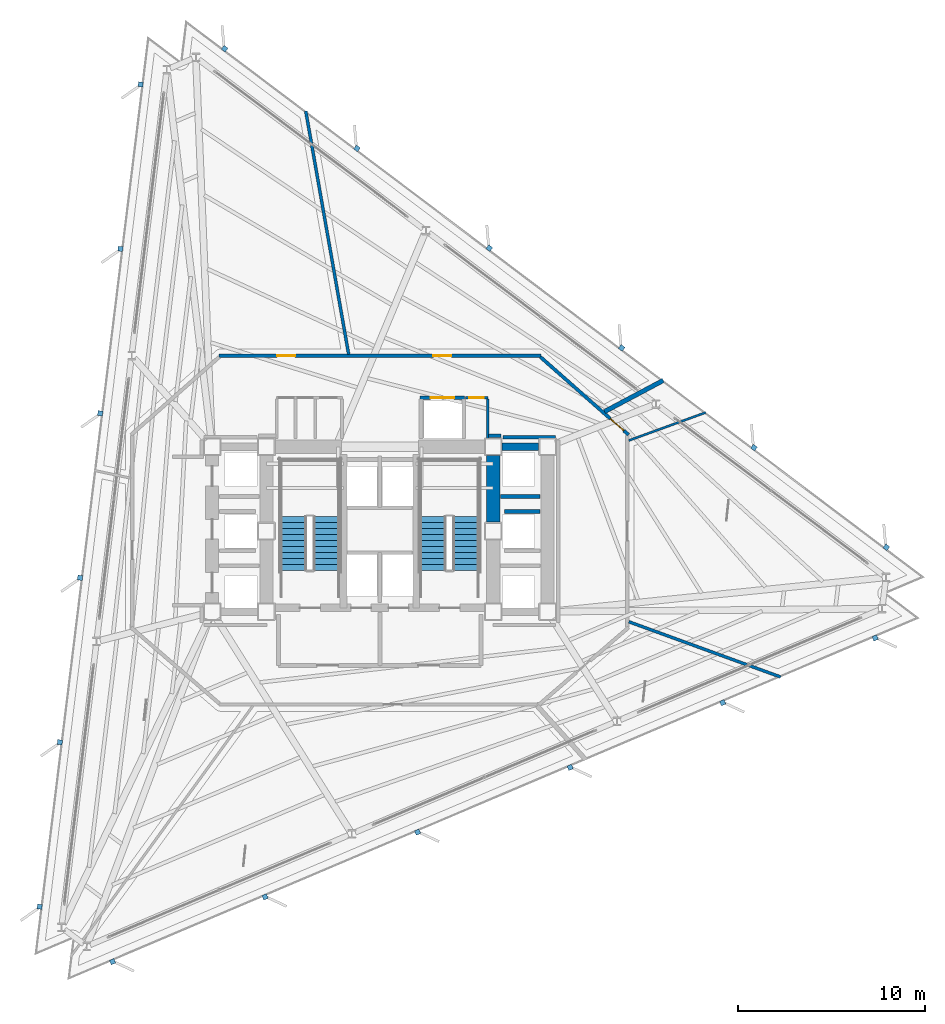
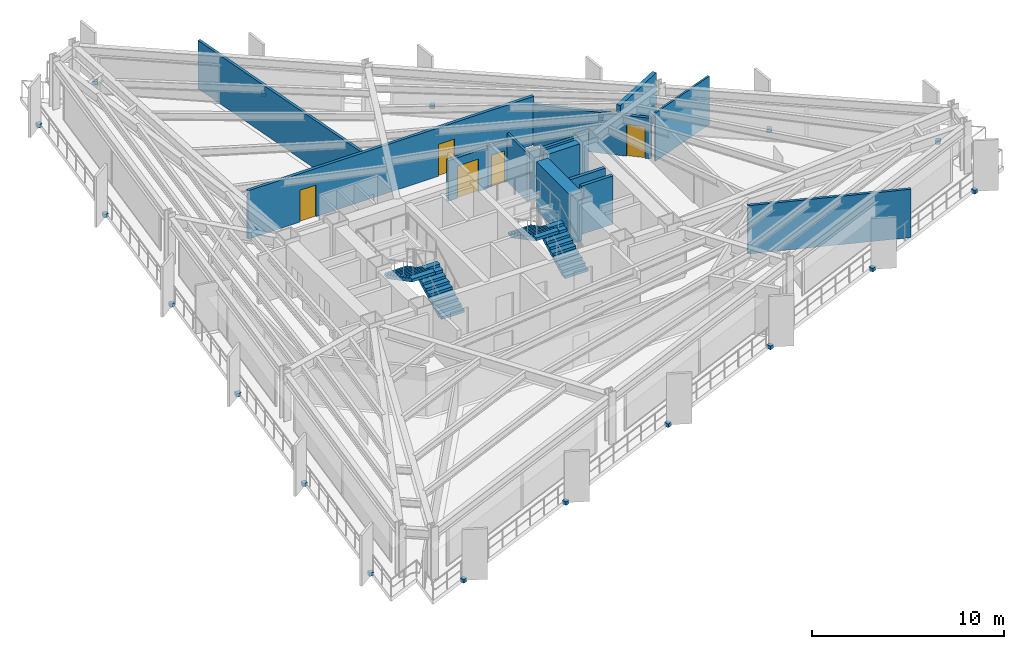
# One storey, part 8 of 13: 18 discrete accessories, 15 walls, 5 doors, 4 stair flights, 5 openings, 2 elements without a shape of their own.
"""IFC4 building model written with IfcOpenShell, lengths in metres."""

from ifc_helpers import new_model, si_unit, direction, frame, frame_2d, origin, origin_2d, place, context, subcontext, project, spatial, polyline, rectangle, outline, extrude, material, layer, layer_set, type_object, element, fill, aggregate, save


model = new_model("IFC4")

# Units and contexts
model_context = context("Model", 3, precision=1e-05, world=origin(), true_north=direction((0.0, 1.0)))
body_context = subcontext(model_context, "Body", "Model", "MODEL_VIEW")
ifc_project = project(units=[si_unit("LENGTHUNIT", "METRE"), si_unit("AREAUNIT", "SQUARE_METRE"), si_unit("VOLUMEUNIT", "CUBIC_METRE"), si_unit("PLANEANGLEUNIT", "RADIAN"), si_unit("MASSUNIT", "GRAM", prefix="KILO")], contexts=[model_context])

# Site, building, storey
site_placement = place(None, origin())
site = spatial("IfcSite", under=ifc_project, at=site_placement, CompositionType="ELEMENT")
building_placement = place(site_placement, origin())
building = spatial("IfcBuilding", under=site, at=building_placement, Name="Rocaltana Carrier Exchange", CompositionType="ELEMENT")
storey_placement = place(building_placement, frame((0.0, 0.0, 69.760009765625)))
storey = spatial("IfcBuildingStorey", under=building, at=storey_placement, Name="L21", CompositionType="ELEMENT", Elevation=69.760009765625)

# Walls
ifc_material_1 = material(Name="Double Acoustic Gypsum Partition", Category="gypsum")
ifc_layer_1 = layer(ifc_material_1, 0.159912109375)
ifc_layer_set_1 = layer_set([ifc_layer_1], Name="Double Acoustic Gypsum Partition")
wall_type_1 = type_object("IfcWallType", Name="Acoustic Studio Partition 160 EI60", PredefinedType="PARTITIONING", material=ifc_layer_set_1)
wall_1_placement = place(storey_placement, frame((13.280029296875, -4.83349609375, 0.0), z_axis=(0.0, 0.0, 1.0), x_axis=(0.939687597414, -0.342033944611, 0.0)))
element("IfcWall", 1, at=wall_1_placement, inside=storey, type_object=wall_type_1, Name="L21 Suite Divider Wall D3", PredefinedType="PARTITIONING", context=body_context, shape_type="SweptSolid", body=[
    extrude(rectangle(XDim=8.62548828125, YDim=0.159912109375, at=frame_2d((4.312744140625, 0.0))), origin(), (0.0, 0.0, 1.0), 3.072998046875),
])
wall_2_placement = place(storey_placement, frame((-1.662841796875, 9.429931640625, 0.0), z_axis=(0.0, 0.0, 1.0), x_axis=(-0.17364798238, 0.984807787446, 0.0)))
element("IfcWall", 2, at=wall_2_placement, inside=storey, type_object=wall_type_1, Name="L21 Suite Divider Wall D6", PredefinedType="PARTITIONING", context=body_context, shape_type="SweptSolid", body=[
    extrude(rectangle(XDim=13.18212890625, YDim=0.159912109375, at=frame_2d((6.591064453125, 0.0))), origin(), (0.0, 0.0, 1.0), 3.072998046875),
])
ifc_material_2 = material(Name="Concrete C50/60", Category="concrete")
ifc_layer_2 = layer(ifc_material_2, 0.39990234375)
ifc_layer_set_2 = layer_set([ifc_layer_2], Name="Concrete C50/60")
wall_type_2 = type_object("IfcWallType", Name="Core Internal Shear Wall 400", PredefinedType="SHEAR", material=ifc_layer_set_2)
wall_3_placement = place(storey_placement, frame((6.52490234375, 4.5, 0.0), z_axis=(0.0, 0.0, 1.0), x_axis=(1.0, 0.0, 0.0)))
element("IfcWall", 3, at=wall_3_placement, inside=storey, type_object=wall_type_2, Name="L21 Core Shear Wall CW-EWN", PredefinedType="SHEAR", context=body_context, shape_type="SweptSolid", body=[
    extrude(rectangle(XDim=1.9501953125, YDim=0.39990234375, at=frame_2d((0.97509765625, 0.0))), origin(), (0.0, 0.0, 1.0), 3.097900390625),
])
ifc_material_3 = material(Name="Concrete C60/75", Category="concrete")
ifc_layer_3 = layer(ifc_material_3, 0.699951171875)
ifc_layer_set_3 = layer_set([ifc_layer_3], Name="Concrete C60/75")
wall_type_3 = type_object("IfcWallType", Name="Core Shear Wall 700", PredefinedType="SHEAR", material=ifc_layer_set_3)
wall_4_placement = place(storey_placement, frame((6.050048828125, 0.47509765625, 0.0), z_axis=(0.0, 0.0, 1.0), x_axis=(0.0, 1.0, 0.0)))
element("IfcWall", 4, at=wall_4_placement, inside=storey, type_object=wall_type_3, Name="L21 Core Shear Wall CW-EN", PredefinedType="SHEAR", context=body_context, shape_type="SweptSolid", body=[
    extrude(rectangle(XDim=3.5498046875, YDim=0.699951171875, at=frame_2d((1.77490234375, 0.0))), origin(), (0.0, 0.0, 1.0), 3.097900390625),
])

# Wall, openings, doors
ifc_material_4 = material(Name="Gypsum & Steel Stud Partition", Category="steel")
ifc_layer_4 = layer(ifc_material_4, 0.179931640625)
ifc_layer_set_4 = layer_set([ifc_layer_4], Name="Gypsum & Steel Stud Partition")
wall_type_4 = type_object("IfcWallType", Name="Corridor Fire Partition 180 EI60", PredefinedType="PARTITIONING", material=ifc_layer_set_4)
wall_5_placement = place(storey_placement, frame((-8.590087890625, 9.35009765625, 0.0), z_axis=(0.0, 0.0, 1.0), x_axis=(1.0, 0.0, 0.0)))
wall_5 = element("IfcWall", 5, at=wall_5_placement, inside=storey, type_object=wall_type_4, Name="L21 Corridor Partition 1", PredefinedType="PARTITIONING", context=body_context, shape_type="SweptSolid", body=[
    extrude(rectangle(XDim=17.18017578125, YDim=0.179931640625, at=frame_2d((8.590087890625, 0.0))), origin(), (0.0, 0.0, 1.0), 3.072998046875),
])
opening_1_placement = place(wall_5_placement, frame((11.444091796875, 0.0, 0.0)))
opening_1 = element("IfcOpeningElement", 6, at=opening_1_placement, cuts=wall_5, Name="Opening D-RM098", PredefinedType="OPENING", context=body_context, shape_type="SweptSolid", body=[
    extrude(rectangle(XDim=0.9599609375, YDim=2.02001953125, at=frame_2d((0.47998046875, 1.010009765625))), frame((0.0, 0.099853515625, 0.0), z_axis=(0.0, -1.0, 0.0), x_axis=(1.0, 0.0, 0.0)), (0.0, 0.0, 1.0), 0.199951171875),
])
opening_2_placement = place(wall_5_placement, frame((3.11328125, 0.0, 0.0)))
opening_2 = element("IfcOpeningElement", 7, at=opening_2_placement, cuts=wall_5, Name="Opening D-RM098", PredefinedType="OPENING", context=body_context, shape_type="SweptSolid", body=[
    extrude(rectangle(XDim=0.9599609375, YDim=2.02001953125, at=frame_2d((0.47998046875, 1.010009765625))), frame((0.0, 0.099853515625, 0.0), z_axis=(0.0, -1.0, 0.0), x_axis=(1.0, 0.0, 0.0)), (0.0, 0.0, 1.0), 0.199951171875),
])
ifc_material_5 = material(Name="Engineered Hardwood Timber", Category="wood")
door_type_1 = type_object("IfcDoorType", Name="Workspace Single Door 960x2020", OperationType="NOTDEFINED", PredefinedType="DOOR", material=ifc_material_5)
door_1_placement = place(opening_1_placement, origin())
door_1 = element("IfcDoor", 8, at=door_1_placement, inside=storey, type_object=door_type_1, Name="L21 Network Operations Office Entrance Door", OperationType="SINGLE_SWING_LEFT", OverallHeight=2.02001953125, OverallWidth=0.9599609375, PredefinedType="DOOR", context=body_context, shape_type="SweptSolid", body=[
    extrude(rectangle(XDim=0.9599609375, YDim=2.02001953125, at=frame_2d((0.47998046875, 1.010009765625))), frame((0.0, 0.02490234375, 0.0), z_axis=(0.0, -1.0, 0.0), x_axis=(1.0, 0.0, 0.0)), (0.0, 0.0, 1.0), 0.050048828125),
])
fill(opening_1, door_1)
door_2_placement = place(opening_2_placement, origin())
door_2 = element("IfcDoor", 9, at=door_2_placement, inside=storey, type_object=door_type_1, Name="L21 Quiet Focus Lounge Entrance Door", OperationType="SINGLE_SWING_RIGHT", OverallHeight=2.02001953125, OverallWidth=0.9599609375, PredefinedType="DOOR", context=body_context, shape_type="SweptSolid", body=[
    extrude(rectangle(XDim=0.9599609375, YDim=2.02001953125, at=frame_2d((0.47998046875, 1.010009765625))), frame((0.0, 0.02490234375, 0.0), z_axis=(0.0, -1.0, 0.0), x_axis=(1.0, 0.0, 0.0)), (0.0, 0.0, 1.0), 0.050048828125),
])
fill(opening_2, door_2)

# Wall, opening, door
wall_6_placement = place(storey_placement, frame((8.5673828125, 9.290283203125, 0.0), z_axis=(0.0, 0.0, 1.0), x_axis=(0.749626463267, -0.66186113768, 0.0)))
wall_6 = element("IfcWall", 10, at=wall_6_placement, inside=storey, type_object=wall_type_4, Name="L21 Corridor Partition 2", PredefinedType="PARTITIONING", context=body_context, shape_type="SweptSolid", body=[
    extrude(rectangle(XDim=6.27001953125, YDim=0.179931640625, at=frame_2d((3.135009765625, 0.0))), origin(), (0.0, 0.0, 1.0), 2.5869140625),
])
opening_3_placement = place(wall_6_placement, frame((4.972412109375, 0.0, 0.0)))
opening_3 = element("IfcOpeningElement", 11, at=opening_3_placement, cuts=wall_6, Name="Opening D-RM098", PredefinedType="OPENING", context=body_context, shape_type="SweptSolid", body=[
    extrude(rectangle(XDim=0.9599609375, YDim=2.02001953125, at=frame_2d((0.47998046875, 1.010009765625))), frame((0.0, 0.099853515625, 0.0), z_axis=(0.0, -1.0, 0.0), x_axis=(1.0, 0.0, 0.0)), (0.0, 0.0, 1.0), 0.199951171875),
])
door_3_placement = place(opening_3_placement, origin())
door_3 = element("IfcDoor", 12, at=door_3_placement, inside=storey, type_object=door_type_1, Name="L21 Peering Conference Room Entrance Door", OperationType="SINGLE_SWING_RIGHT", OverallHeight=2.02001953125, OverallWidth=0.9599609375, PredefinedType="DOOR", context=body_context, shape_type="SweptSolid", body=[
    extrude(rectangle(XDim=0.9599609375, YDim=2.02001953125, at=frame_2d((0.47998046875, 1.010009765625))), frame((0.0, 0.02490234375, 0.0), z_axis=(0.0, -1.0, 0.0), x_axis=(1.0, 0.0, 0.0)), (0.0, 0.0, 1.0), 0.050048828125),
])
fill(opening_3, door_3)

# Walls
wall_7_placement = place(storey_placement, frame((9.3701171875, 5.010009765625, 0.0), z_axis=(0.0, 0.0, 1.0), x_axis=(-1.0, 0.0, 0.0)))
element("IfcWall", 13, at=wall_7_placement, inside=storey, type_object=wall_type_4, Name="L21 Corridor Partition 18", PredefinedType="PARTITIONING", context=body_context, shape_type="SweptSolid", body=[
    extrude(rectangle(XDim=2.807861328125, YDim=0.179931640625, at=frame_2d((1.40380859375, 0.0))), origin(), (0.0, 0.0, 1.0), 3.072998046875),
])
wall_8_placement = place(storey_placement, frame((6.469970703125, 5.080078125, 0.0), z_axis=(0.0, 0.0, 1.0), x_axis=(-1.0, 0.0, 0.0)))
element("IfcWall", 14, at=wall_8_placement, inside=storey, type_object=wall_type_4, Name="L21 Corridor Partition 19", PredefinedType="PARTITIONING", context=body_context, shape_type="SweptSolid", body=[
    extrude(rectangle(XDim=0.679931640625, YDim=0.179931640625, at=frame_2d((0.33984375, 0.0))), origin(), (0.0, 0.0, 1.0), 3.072998046875),
])
ifc_material_6 = material(Name="Aluminium 6063-T6 & Acoustic Glass", Category="aluminium")
ifc_layer_5 = layer(ifc_material_6, 0.114990234375)
ifc_layer_set_5 = layer_set([ifc_layer_5], Name="Aluminium 6063-T6 & Acoustic Glass")
wall_type_5 = type_object("IfcWallType", Name="Demountable Glazed Lab Partition 115", PredefinedType="MOVABLE", material=ifc_layer_set_5)
wall_9_placement = place(storey_placement, frame((13.280029296875, 4.83349609375, 0.0), z_axis=(0.0, 0.0, 1.0), x_axis=(0.939689084441, 0.342029859198, 0.0)))
element("IfcWall", 15, at=wall_9_placement, inside=storey, type_object=wall_type_5, Name="L21 Suite Divider Wall D4", PredefinedType="MOVABLE", context=body_context, shape_type="SweptSolid", body=[
    extrude(rectangle(XDim=4.374267578125, YDim=0.114990234375, at=frame_2d((2.18701171875, 0.0))), origin(), (0.0, 0.0, 1.0), 3.072998046875),
])
ifc_material_7 = material(Name="Acoustic Calcium Silicate Partition", Category="gypsum")
ifc_layer_6 = layer(ifc_material_7, 0.239990234375)
ifc_layer_set_6 = layer_set([ifc_layer_6], Name="Acoustic Calcium Silicate Partition")
wall_type_6 = type_object("IfcWallType", Name="Heavy Lab Partition 240 EI90", PredefinedType="PARTITIONING", material=ifc_layer_set_6)
wall_10_placement = place(storey_placement, frame((11.989990234375, 6.375244140625, 0.0), z_axis=(0.0, 0.0, 1.0), x_axis=(0.882950733712, 0.469465655654, 0.0)))
element("IfcWall", 16, at=wall_10_placement, inside=storey, type_object=wall_type_6, Name="L21 Suite Divider Wall D5", PredefinedType="PARTITIONING", context=body_context, shape_type="SweptSolid", body=[
    extrude(rectangle(XDim=3.545654296875, YDim=0.239990234375, at=frame_2d((1.77294921875, 0.0))), origin(), (0.0, 0.0, 1.0), 3.072998046875),
])

# Wall, opening, door
ifc_material_8 = material(Name="Reinforced Concrete Block C35/45", Category="concrete")
ifc_layer_7 = layer(ifc_material_8, 0.199951171875)
ifc_layer_set_7 = layer_set([ifc_layer_7], Name="Reinforced Concrete Block C35/45")
wall_type_7 = type_object("IfcWallType", Name="Lift Hoistway Enclosure Wall 200 EI120", PredefinedType="PARTITIONING", material=ifc_layer_set_7)
wall_11_placement = place(storey_placement, frame((2.14990234375, 7.1201171875, 0.0), z_axis=(0.0, 0.0, 1.0), x_axis=(1.0, 0.0, 0.0)))
wall_11 = element("IfcWall", 17, at=wall_11_placement, inside=storey, type_object=wall_type_7, Name="L21 Goods Lift Front Wall", PredefinedType="PARTITIONING", context=body_context, shape_type="SweptSolid", body=[
    extrude(rectangle(XDim=2.380126953125, YDim=0.199951171875, at=frame_2d((1.18994140625, 0.0))), origin(), (0.0, 0.0, 1.0), 2.5869140625),
])
opening_4_placement = place(wall_11_placement, frame((0.56005859375, 0.0, 0.0)))
opening_4 = element("IfcOpeningElement", 18, at=opening_4_placement, cuts=wall_11, Name="Opening LD-130", PredefinedType="OPENING", context=body_context, shape_type="SweptSolid", body=[
    extrude(rectangle(XDim=1.260009765625, YDim=2.06005859375, at=frame_2d((0.6298828125, 1.030029296875))), frame((0.0, 0.10986328125, 0.0), z_axis=(0.0, -1.0, 0.0), x_axis=(1.0, 0.0, 0.0)), (0.0, 0.0, 1.0), 0.219970703125),
])
ifc_material_9 = material(Name="Brushed Stainless Sliding Door Leaf", Category="steel")
door_type_2 = type_object("IfcDoorType", Name="Goods Lift Landing Sliding Door 1260x2060", OperationType="NOTDEFINED", PredefinedType="DOOR", material=ifc_material_9)
door_4_placement = place(opening_4_placement, origin())
door_4 = element("IfcDoor", 19, at=door_4_placement, inside=storey, type_object=door_type_2, Name="L21 Goods Lift GL-1 Landing Door", OperationType="SLIDING_TO_LEFT", OverallHeight=2.06005859375, OverallWidth=1.260009765625, PredefinedType="DOOR", context=body_context, shape_type="SweptSolid", body=[
    extrude(rectangle(XDim=1.260009765625, YDim=2.06005859375, at=frame_2d((0.6298828125, 1.030029296875))), frame((0.0, 0.02490234375, 0.0), z_axis=(0.0, -1.0, 0.0), x_axis=(1.0, 0.0, 0.0)), (0.0, 0.0, 1.0), 0.050048828125),
])
fill(opening_4, door_4)

# Walls
wall_12_placement = place(storey_placement, frame((6.449951171875, 1.85009765625, 0.0), z_axis=(0.0, 0.0, 1.0), x_axis=(1.0, 0.0, 0.0)))
element("IfcWall", 20, at=wall_12_placement, inside=storey, type_object=wall_type_7, Name="L21 Mid-Rise Shaft Divider 2", PredefinedType="PARTITIONING", context=body_context, shape_type="SweptSolid", body=[
    extrude(rectangle(XDim=2.10009765625, YDim=0.199951171875, at=frame_2d((1.050048828125, 0.0))), origin(), (0.0, 0.0, 1.0), 3.072998046875),
])
wall_13_placement = place(storey_placement, frame((6.639892578125, 1.050048828125, 0.0), z_axis=(0.0, 0.0, 1.0), x_axis=(1.0, 0.0, 0.0)))
element("IfcWall", 21, at=wall_13_placement, inside=storey, type_object=wall_type_7, Name="L21 Mid-Rise Center Shaft Wall North", PredefinedType="PARTITIONING", context=body_context, shape_type="SweptSolid", body=[
    extrude(rectangle(XDim=1.91015625, YDim=0.199951171875, at=frame_2d((0.955078125, 0.0))), origin(), (0.0, 0.0, 1.0), 3.072998046875),
])
ifc_material_10 = material(Name="Moisture-Resistant Masonry C30/37", Category="masonry")
ifc_layer_8 = layer(ifc_material_10, 0.139892578125)
ifc_layer_set_8 = layer_set([ifc_layer_8], Name="Moisture-Resistant Masonry C30/37")
wall_type_8 = type_object("IfcWallType", Name="Wet-Area Sanitary Partition 140", PredefinedType="PARTITIONING", material=ifc_layer_set_8)
wall_14_placement = place(storey_placement, frame((5.760009765625, 4.949951171875, 0.0), z_axis=(0.0, 0.0, 1.0), x_axis=(0.0, 1.0, 0.0)))
element("IfcWall", 22, at=wall_14_placement, inside=storey, type_object=wall_type_8, Name="L21 Riser East Wall", PredefinedType="PARTITIONING", context=body_context, shape_type="SweptSolid", body=[
    extrude(rectangle(XDim=2.10009765625, YDim=0.139892578125, at=frame_2d((1.050048828125, 0.0))), origin(), (0.0, 0.0, 1.0), 3.072998046875),
])

# Wall, opening, door
wall_15_placement = place(storey_placement, frame((4.56005859375, 7.1201171875, 0.0), z_axis=(0.0, 0.0, 1.0), x_axis=(1.0, 0.0, 0.0)))
wall_15 = element("IfcWall", 23, at=wall_15_placement, inside=storey, type_object=wall_type_8, Name="L21 Riser North Wall", PredefinedType="PARTITIONING", context=body_context, shape_type="SweptSolid", body=[
    extrude(rectangle(XDim=1.199951171875, YDim=0.139892578125, at=frame_2d((0.60009765625, 0.0))), origin(), (0.0, 0.0, 1.0), 2.5869140625),
])
opening_5_placement = place(wall_15_placement, frame((0.2099609375, 0.0, 0.0)))
opening_5 = element("IfcOpeningElement", 24, at=opening_5_placement, cuts=wall_15, Name="Opening D-RS082", PredefinedType="OPENING", context=body_context, shape_type="SweptSolid", body=[
    extrude(rectangle(XDim=0.780029296875, YDim=2.010009765625, at=frame_2d((0.39013671875, 1.0048828125))), frame((0.0, 0.079833984375, 0.0), z_axis=(0.0, -1.0, 0.0), x_axis=(1.0, 0.0, 0.0)), (0.0, 0.0, 1.0), 0.159912109375),
])
ifc_material_11 = material(Name="Hollow Metal Access Door Leaf", Category="steel")
door_type_3 = type_object("IfcDoorType", Name="Riser & Service Closet Door 780x2010", OperationType="NOTDEFINED", PredefinedType="DOOR", material=ifc_material_11)
door_5_placement = place(opening_5_placement, origin())
door_5 = element("IfcDoor", 25, at=door_5_placement, inside=storey, type_object=door_type_3, Name="L21 Signal Riser Closet Door", OperationType="SINGLE_SWING_LEFT", OverallHeight=2.010009765625, OverallWidth=0.780029296875, PredefinedType="DOOR", context=body_context, shape_type="SweptSolid", body=[
    extrude(rectangle(XDim=0.780029296875, YDim=2.010009765625, at=frame_2d((0.39013671875, 1.0048828125))), frame((0.0, 0.02490234375, 0.0), z_axis=(0.0, -1.0, 0.0), x_axis=(1.0, 0.0, 0.0)), (0.0, 0.0, 1.0), 0.050048828125),
])
fill(opening_5, door_5)

# Stair, stair flights
ifc_material_12 = material(Name="Precast concrete C45/55", Category="concrete")
stair_type = type_object("IfcStairType", Name="Standard Dog-Leg Stair 160", PredefinedType="HALF_TURN_STAIR", material=ifc_material_12)
stair_1_placement = place(storey_placement, origin())
stair_1 = element("IfcStair", 26, at=stair_1_placement, inside=storey, type_object=stair_type, Name="L21 Core West Exit Stair ST-1", PredefinedType="HALF_TURN_STAIR")
ifc_material_13 = material(Name="Precast concrete C45/55", Category="concrete")
stair_flight_type = type_object("IfcStairFlightType", Name="Precast Stair Flight 160", PredefinedType="STRAIGHT", material=ifc_material_13)
stair_flight_1_placement = place(storey_placement, frame((-2.840087890625, -2.10009765625, 0.0), z_axis=(0.0, 0.0, 1.0), x_axis=(0.0, 1.0, 0.0)))
stair_flight_1 = element("IfcStairFlight", 27, at=stair_flight_1_placement, type_object=stair_flight_type, Name="ST-1 flight 1", NumberOfRisers=10, NumberOfTreads=9, PredefinedType="STRAIGHT", RiserHeight=0.168, TreadLength=0.32, context=body_context, shape_type="SweptSolid", body=[
    extrude(outline(polyline([(0.0, 0.0), (0.0, 0.16796875), (0.320068359375, 0.16796875), (0.320068359375, 0.3359375), (0.639892578125, 0.3359375), (0.639892578125, 0.50390625), (0.9599609375, 0.50390625), (0.9599609375, 0.672119140625), (1.280029296875, 0.672119140625), (1.280029296875, 0.840087890625), (1.60009765625, 0.840087890625), (1.60009765625, 1.008056640625), (1.919921875, 1.008056640625), (1.919921875, 1.176025390625), (2.239990234375, 1.176025390625), (2.239990234375, 1.343994140625), (2.56005859375, 1.343994140625), (2.56005859375, 1.511962890625), (2.8798828125, 1.511962890625), (2.8798828125, 1.679931640625), (2.8798828125, 1.331298828125), (0.343994140625, 0.0), (0.0, 0.0)])), frame((0.0, 0.699951171875, 0.0), z_axis=(0.0, -1.0, 0.0), x_axis=(1.0, 0.0, 0.0)), (0.0, 0.0, 1.0), 1.39990234375),
])
stair_flight_2_placement = place(storey_placement, frame((-4.60009765625, 0.780029296875, 1.679931640625), z_axis=(0.0, 0.0, 1.0), x_axis=(0.0, -1.0, 0.0)))
stair_flight_2 = element("IfcStairFlight", 28, at=stair_flight_2_placement, type_object=stair_flight_type, Name="ST-1 flight 2", NumberOfRisers=10, NumberOfTreads=9, PredefinedType="STRAIGHT", RiserHeight=0.168, TreadLength=0.32, context=body_context, shape_type="SweptSolid", body=[
    extrude(outline(polyline([(0.0, 0.0), (0.0, 0.16796875), (0.320068359375, 0.16796875), (0.320068359375, 0.3359375), (0.639892578125, 0.3359375), (0.639892578125, 0.50390625), (0.9599609375, 0.50390625), (0.9599609375, 0.672119140625), (1.280029296875, 0.672119140625), (1.280029296875, 0.840087890625), (1.60009765625, 0.840087890625), (1.60009765625, 1.008056640625), (1.919921875, 1.008056640625), (1.919921875, 1.176025390625), (2.239990234375, 1.176025390625), (2.239990234375, 1.343994140625), (2.56005859375, 1.343994140625), (2.56005859375, 1.511962890625), (2.8798828125, 1.511962890625), (2.8798828125, 1.679931640625), (2.8798828125, 1.331298828125), (0.343994140625, 0.0), (0.0, 0.0)])), frame((0.0, 0.699951171875, 0.0), z_axis=(0.0, -1.0, 0.0), x_axis=(1.0, 0.0, 0.0)), (0.0, 0.0, 1.0), 1.39990234375),
])
aggregate(stair_1, [stair_flight_1, stair_flight_2])

stair_2_placement = place(storey_placement, origin())
stair_2 = element("IfcStair", 29, at=stair_2_placement, inside=storey, type_object=stair_type, Name="L21 Core East Exit Stair ST-2", PredefinedType="HALF_TURN_STAIR")
stair_flight_3_placement = place(storey_placement, frame((4.60009765625, -2.10009765625, 0.0), z_axis=(0.0, 0.0, 1.0), x_axis=(0.0, 1.0, 0.0)))
stair_flight_3 = element("IfcStairFlight", 30, at=stair_flight_3_placement, type_object=stair_flight_type, Name="ST-2 flight 1", NumberOfRisers=10, NumberOfTreads=9, PredefinedType="STRAIGHT", RiserHeight=0.168, TreadLength=0.32, context=body_context, shape_type="SweptSolid", body=[
    extrude(outline(polyline([(0.0, 0.0), (0.0, 0.16796875), (0.320068359375, 0.16796875), (0.320068359375, 0.3359375), (0.639892578125, 0.3359375), (0.639892578125, 0.50390625), (0.9599609375, 0.50390625), (0.9599609375, 0.672119140625), (1.280029296875, 0.672119140625), (1.280029296875, 0.840087890625), (1.60009765625, 0.840087890625), (1.60009765625, 1.008056640625), (1.919921875, 1.008056640625), (1.919921875, 1.176025390625), (2.239990234375, 1.176025390625), (2.239990234375, 1.343994140625), (2.56005859375, 1.343994140625), (2.56005859375, 1.511962890625), (2.8798828125, 1.511962890625), (2.8798828125, 1.679931640625), (2.8798828125, 1.331298828125), (0.343994140625, 0.0), (0.0, 0.0)])), frame((0.0, 0.699951171875, 0.0), z_axis=(0.0, -1.0, 0.0), x_axis=(1.0, 0.0, 0.0)), (0.0, 0.0, 1.0), 1.39990234375),
])
stair_flight_4_placement = place(storey_placement, frame((2.840087890625, 0.780029296875, 1.679931640625), z_axis=(0.0, 0.0, 1.0), x_axis=(0.0, -1.0, 0.0)))
stair_flight_4 = element("IfcStairFlight", 31, at=stair_flight_4_placement, type_object=stair_flight_type, Name="ST-2 flight 2", NumberOfRisers=10, NumberOfTreads=9, PredefinedType="STRAIGHT", RiserHeight=0.168, TreadLength=0.32, context=body_context, shape_type="SweptSolid", body=[
    extrude(outline(polyline([(0.0, 0.0), (0.0, 0.16796875), (0.320068359375, 0.16796875), (0.320068359375, 0.3359375), (0.639892578125, 0.3359375), (0.639892578125, 0.50390625), (0.9599609375, 0.50390625), (0.9599609375, 0.672119140625), (1.280029296875, 0.672119140625), (1.280029296875, 0.840087890625), (1.60009765625, 0.840087890625), (1.60009765625, 1.008056640625), (1.919921875, 1.008056640625), (1.919921875, 1.176025390625), (2.239990234375, 1.176025390625), (2.239990234375, 1.343994140625), (2.56005859375, 1.343994140625), (2.56005859375, 1.511962890625), (2.8798828125, 1.511962890625), (2.8798828125, 1.679931640625), (2.8798828125, 1.331298828125), (0.343994140625, 0.0), (0.0, 0.0)])), frame((0.0, 0.699951171875, 0.0), z_axis=(0.0, -1.0, 0.0), x_axis=(1.0, 0.0, 0.0)), (0.0, 0.0, 1.0), 1.39990234375),
])
aggregate(stair_2, [stair_flight_3, stair_flight_4])

# Discrete accessories
ifc_material_14 = material(Name="Brushed Architectural Stainless Metal", Category="steel")
ifc_layer_9 = layer(ifc_material_14, 0.219970703125)
ifc_layer_set_9 = layer_set([ifc_layer_9], Name="Brushed Architectural Stainless Metal")
discrete_accessory_type = type_object("IfcDiscreteAccessoryType", Name="Stainless Fin Slab-Edge Bracket 260x260x220", PredefinedType="BRACKET", material=ifc_layer_set_9)
for number, where, z_axis, x_axis, name in (
    (32, (27.0205078125, -0.86474609375, -0.2099609375), (0.0, 0.0, 1.0), (-0.798635510047, 0.601815023152, 0.0), "L21 Sandstone Fin Edge Bracket F1-01"),
    (33, (19.960693359375, 4.455322265625, -0.2099609375), (0.0, 0.0, 1.0), (-0.798635510047, 0.601815023152, 0.0), "L21 Sandstone Fin Edge Bracket F1-02"),
    (34, (12.900634765625, 9.775390625, -0.2099609375), (0.0, 0.0, 1.0), (-0.798635510047, 0.601815023152, 0.0), "L21 Sandstone Fin Edge Bracket F1-03"),
    (35, (5.8408203125, 15.095458984375, -0.2099609375), (0.0, 0.0, 1.0), (-0.798635510047, 0.601815023152, 0.0), "L21 Sandstone Fin Edge Bracket F1-04"),
    (36, (-1.21923828125, 20.415283203125, -0.2099609375), (0.0, 0.0, 1.0), (-0.798635510047, 0.601815023152, 0.0), "L21 Sandstone Fin Edge Bracket F1-05"),
    (37, (-8.279296875, 25.7353515625, -0.2099609375), (0.0, 0.0, 1.0), (-0.798635510047, 0.601815023152, 0.0), "L21 Sandstone Fin Edge Bracket F1-06"),
    (38, (-12.76123046875, 23.8330078125, -0.2099609375), (0.0, 0.0, 1.0), (-0.121869343405, -0.992546151641, 0.0), "L21 Sandstone Fin Edge Bracket F2-01"),
    (39, (-13.838623046875, 15.058837890625, -0.2099609375), (0.0, 0.0, 1.0), (-0.121869343405, -0.992546151641, 0.0), "L21 Sandstone Fin Edge Bracket F2-02"),
    (40, (-14.916015625, 6.28466796875, -0.2099609375), (0.0, 0.0, 1.0), (-0.121869343405, -0.992546151641, 0.0), "L21 Sandstone Fin Edge Bracket F2-03"),
    (41, (-15.993408203125, -2.489501953125, -0.2099609375), (0.0, 0.0, 1.0), (-0.121869343405, -0.992546151641, 0.0), "L21 Sandstone Fin Edge Bracket F2-04"),
    (42, (-17.070556640625, -11.263671875, -0.2099609375), (0.0, 0.0, 1.0), (-0.121869343405, -0.992546151641, 0.0), "L21 Sandstone Fin Edge Bracket F2-05"),
    (43, (-18.14794921875, -20.03759765625, -0.2099609375), (0.0, 0.0, 1.0), (-0.121869343405, -0.992546151641, 0.0), "L21 Sandstone Fin Edge Bracket F2-06"),
    (44, (-14.25927734375, -22.968017578125, -0.2099609375), (0.0, 0.0, 1.0), (0.920504853452, 0.390731128489, 0.0), "L21 Sandstone Fin Edge Bracket F3-01"),
    (45, (-6.121826171875, -19.513916015625, -0.2099609375), (0.0, 0.0, 1.0), (0.920504853452, 0.390731128489, 0.0), "L21 Sandstone Fin Edge Bracket F3-02"),
    (46, (2.015380859375, -16.06005859375, -0.2099609375), (0.0, 0.0, 1.0), (0.920504853452, 0.390731128489, 0.0), "L21 Sandstone Fin Edge Bracket F3-03"),
    (47, (10.152587890625, -12.60595703125, -0.2099609375), (0.0, 0.0, 1.0), (0.920504853452, 0.390731128489, 0.0), "L21 Sandstone Fin Edge Bracket F3-04"),
    (48, (18.289794921875, -9.15185546875, -0.2099609375), (0.0, 0.0, 1.0), (0.920504853452, 0.390731128489, 0.0), "L21 Sandstone Fin Edge Bracket F3-05"),
    (49, (26.427001953125, -5.69775390625, -0.2099609375), (0.0, 0.0, 1.0), (0.920504853452, 0.390731128489, 0.0), "L21 Sandstone Fin Edge Bracket F3-06"),
):
    element("IfcDiscreteAccessory", number, at=place(storey_placement, frame(where, z_axis=z_axis, x_axis=x_axis)), inside=storey, type_object=discrete_accessory_type, Name=name, PredefinedType="BRACKET", context=body_context, shape_type="SweptSolid", body=[
        extrude(rectangle(XDim=0.260009765625, YDim=0.260009765625, at=origin_2d()), origin(), (0.0, 0.0, 1.0), 0.219970703125),
    ])

save(model, "model.ifc")
